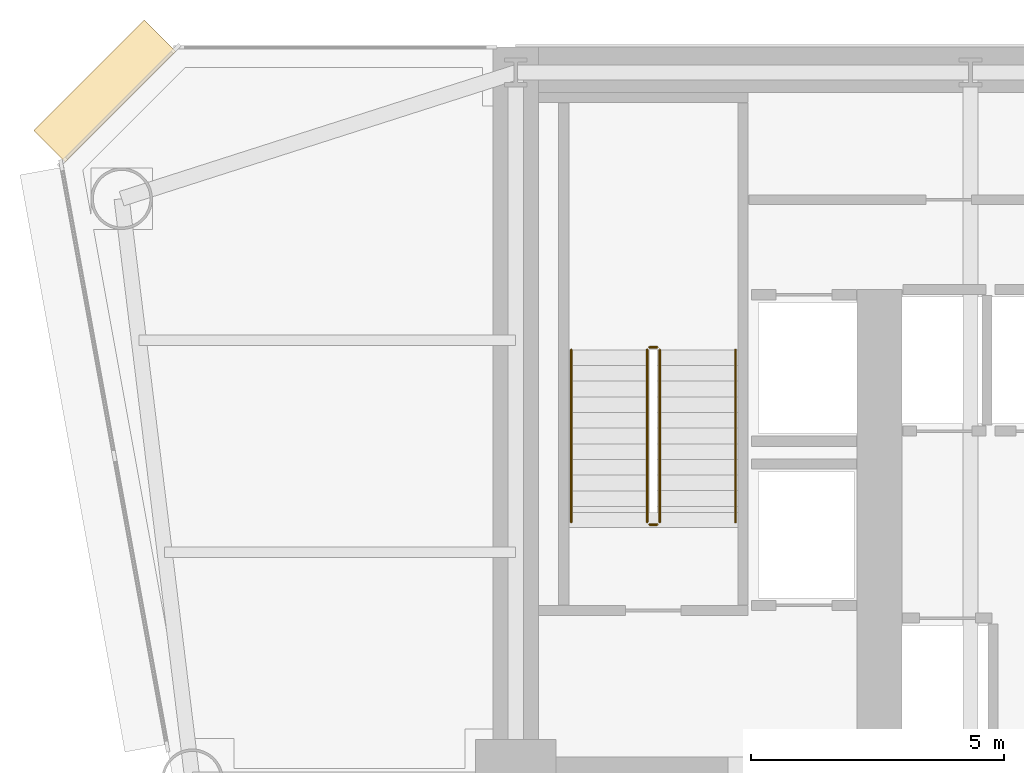
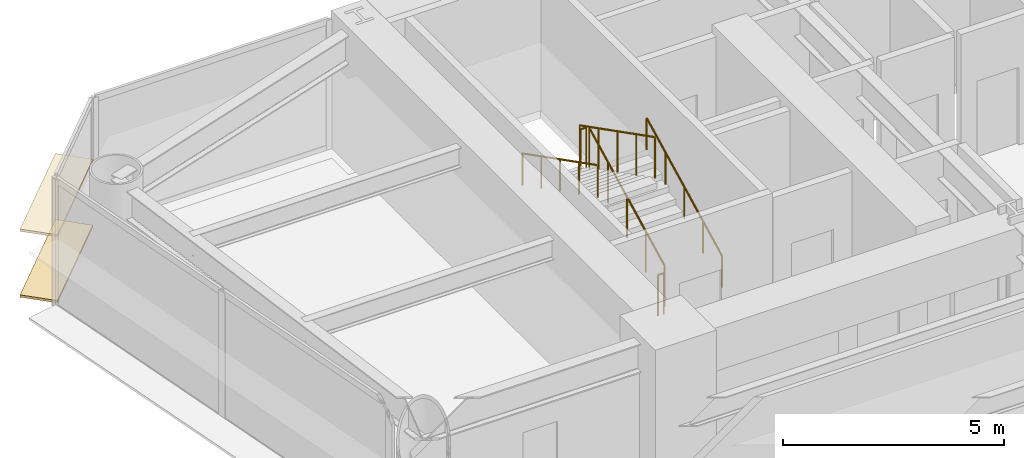
# One storey, part 12 of 14: 6 railings, 2 coverings.
"""IFC4 building model written with IfcOpenShell, lengths in metres."""

from ifc_helpers import new_model, si_unit, direction, frame, origin, origin_2d, place, context, subcontext, project, spatial, rectangle, circle, extrude, source, transform, mapped, material, layer, layer_set, type_object, element, save


model = new_model("IFC4")

# Units and contexts
model_context = context("Model", 3, precision=1e-05, world=origin(), true_north=direction((0.0, 1.0)))
body_context = subcontext(model_context, "Body", "Model", "MODEL_VIEW")
ifc_project = project(units=[si_unit("LENGTHUNIT", "METRE"), si_unit("AREAUNIT", "SQUARE_METRE"), si_unit("VOLUMEUNIT", "CUBIC_METRE"), si_unit("PLANEANGLEUNIT", "RADIAN"), si_unit("MASSUNIT", "GRAM", prefix="KILO")], contexts=[model_context])

# Site, building, storey
site_placement = place(None, origin())
site = spatial("IfcSite", under=ifc_project, at=site_placement, CompositionType="ELEMENT")
building_placement = place(site_placement, origin())
building = spatial("IfcBuilding", under=site, at=building_placement, Name="Vaeldorn Concourse Tower", CompositionType="ELEMENT")
storey_placement = place(building_placement, frame((0.0, 0.0, 41.60009765625)))
storey = spatial("IfcBuildingStorey", under=building, at=storey_placement, Name="L10", CompositionType="ELEMENT", Elevation=41.60009765625)

# Railings
ifc_material = material(Name="Anodised Bronze Aluminium", Category="aluminium")
railing_type_1 = type_object("IfcRailingType", Name="RL-STAIR-GUARD", PredefinedType="GUARDRAIL", material=ifc_material)
railing_1_placement = place(storey_placement, frame((16.85009765625, 41.60009765625, 0.158203125)))
element("IfcRailing", 1, at=railing_1_placement, inside=storey, type_object=railing_type_1, Name="L10 ST-1 stair guard 1", PredefinedType="GUARDRAIL", context=body_context, shape_type="SweptSolid", body=[
    extrude(circle(Radius=0.02392578125, at=origin_2d()), frame((0.0, 0.0, 1.1259765625), z_axis=(0.0, 0.890555807335, 0.454873997962), x_axis=(-1.0, 0.0, 0.0)), (0.0, 0.0, 1.0), 3.828857421875),
    extrude(circle(Radius=0.02099609375, at=origin_2d()), origin(), (0.0, 0.0, 1.0), 1.101806640625),
    extrude(circle(Radius=0.02099609375, at=origin_2d()), frame((0.0, 0.8525390625, 0.435546875)), (0.0, 0.0, 1.0), 1.101806640625),
    extrude(circle(Radius=0.02099609375, at=origin_2d()), frame((0.0, 1.705078125, 0.870849609375)), (0.0, 0.0, 1.0), 1.101806640625),
    extrude(circle(Radius=0.02099609375, at=origin_2d()), frame((0.0, 2.557373046875, 1.30615234375)), (0.0, 0.0, 1.0), 1.101806640625),
    extrude(circle(Radius=0.02099609375, at=origin_2d()), frame((0.0, 3.409912109375, 1.74169921875)), (0.0, 0.0, 1.0), 1.101806640625),
])
railing_2_placement = place(storey_placement, frame((16.800048828125, 45.06005859375, 1.89990234375)))
element("IfcRailing", 2, at=railing_2_placement, inside=storey, type_object=railing_type_1, Name="L10 ST-1 stair guard 2", PredefinedType="GUARDRAIL", context=body_context, shape_type="SweptSolid", body=[
    extrude(circle(Radius=0.02392578125, at=origin_2d()), frame((0.0, 0.0, 1.1259765625), z_axis=(-1.0, 0.0, 0.0), x_axis=(0.0, -1.0, 0.0)), (0.0, 0.0, 1.0), 0.150146484375),
    extrude(circle(Radius=0.02099609375, at=origin_2d()), origin(), (0.0, 0.0, 1.0), 1.101806640625),
    extrude(circle(Radius=0.02099609375, at=origin_2d()), frame((-0.150146484375, 0.0, 0.0)), (0.0, 0.0, 1.0), 1.101806640625),
])
railing_3_placement = place(storey_placement, frame((16.60009765625, 45.010009765625, 2.058349609375)))
element("IfcRailing", 3, at=railing_3_placement, inside=storey, type_object=railing_type_1, Name="L10 ST-1 stair guard 3", PredefinedType="GUARDRAIL", context=body_context, shape_type="SweptSolid", body=[
    extrude(circle(Radius=0.02392578125, at=origin_2d()), frame((0.0, 0.0, 1.1259765625), z_axis=(0.0, -0.890581635807, 0.454823427236), x_axis=(1.0, 0.0, 0.0)), (0.0, 0.0, 1.0), 3.828857421875),
    extrude(circle(Radius=0.02099609375, at=origin_2d()), origin(), (0.0, 0.0, 1.0), 1.101806640625),
    extrude(circle(Radius=0.02099609375, at=origin_2d()), frame((0.0, -0.8525390625, 0.435302734375)), (0.0, 0.0, 1.0), 1.101806640625),
    extrude(circle(Radius=0.02099609375, at=origin_2d()), frame((0.0, -1.705078125, 0.87060546875)), (0.0, 0.0, 1.0), 1.101806640625),
    extrude(circle(Radius=0.02099609375, at=origin_2d()), frame((0.0, -2.557373046875, 1.30615234375)), (0.0, 0.0, 1.0), 1.101806640625),
    extrude(circle(Radius=0.02099609375, at=origin_2d()), frame((0.0, -3.409912109375, 1.741455078125)), (0.0, 0.0, 1.0), 1.101806640625),
])
railing_4_placement = place(storey_placement, frame((16.800048828125, 41.550048828125, 0.0)))
element("IfcRailing", 4, at=railing_4_placement, inside=storey, type_object=railing_type_1, Name="L10 ST-1 stair guard 4", PredefinedType="GUARDRAIL", context=body_context, shape_type="SweptSolid", body=[
    extrude(circle(Radius=0.02392578125, at=origin_2d()), frame((0.0, 0.0, 1.1259765625), z_axis=(-1.0, 0.0, 0.0), x_axis=(0.0, -1.0, 0.0)), (0.0, 0.0, 1.0), 0.150146484375),
    extrude(circle(Radius=0.02099609375, at=origin_2d()), origin(), (0.0, 0.0, 1.0), 1.101806640625),
    extrude(circle(Radius=0.02099609375, at=origin_2d()), frame((-0.150146484375, 0.0, 0.0)), (0.0, 0.0, 1.0), 1.101806640625),
])
railing_type_2 = type_object("IfcRailingType", Name="RL-STAIR-HANDRAIL", PredefinedType="HANDRAIL", material=ifc_material)
railing_5_placement = place(storey_placement, frame((18.35009765625, 41.60009765625, 0.158203125)))
element("IfcRailing", 5, at=railing_5_placement, inside=storey, type_object=railing_type_2, Name="L10 ST-1 stair handrail 1", PredefinedType="HANDRAIL", context=body_context, shape_type="SweptSolid", body=[
    extrude(circle(Radius=0.02392578125, at=origin_2d()), frame((0.0, 0.0, 0.8759765625), z_axis=(0.0, 0.890555807335, 0.454873997962), x_axis=(-1.0, 0.0, 0.0)), (0.0, 0.0, 1.0), 3.828857421875),
    extrude(circle(Radius=0.02099609375, at=origin_2d()), origin(), (0.0, 0.0, 1.0), 0.851806640625),
    extrude(circle(Radius=0.02099609375, at=origin_2d()), frame((0.0, 0.8525390625, 0.435546875)), (0.0, 0.0, 1.0), 0.851806640625),
    extrude(circle(Radius=0.02099609375, at=origin_2d()), frame((0.0, 1.705078125, 0.870849609375)), (0.0, 0.0, 1.0), 0.851806640625),
    extrude(circle(Radius=0.02099609375, at=origin_2d()), frame((0.0, 2.557373046875, 1.30615234375)), (0.0, 0.0, 1.0), 0.851806640625),
    extrude(circle(Radius=0.02099609375, at=origin_2d()), frame((0.0, 3.409912109375, 1.74169921875)), (0.0, 0.0, 1.0), 0.851806640625),
])
railing_6_placement = place(storey_placement, frame((15.10009765625, 45.010009765625, 2.058349609375)))
element("IfcRailing", 6, at=railing_6_placement, inside=storey, type_object=railing_type_2, Name="L10 ST-1 stair handrail 2", PredefinedType="HANDRAIL", context=body_context, shape_type="SweptSolid", body=[
    extrude(circle(Radius=0.02392578125, at=origin_2d()), frame((0.0, 0.0, 0.8759765625), z_axis=(0.0, -0.890581635807, 0.454823427236), x_axis=(1.0, 0.0, 0.0)), (0.0, 0.0, 1.0), 3.828857421875),
    extrude(circle(Radius=0.02099609375, at=origin_2d()), origin(), (0.0, 0.0, 1.0), 0.851806640625),
    extrude(circle(Radius=0.02099609375, at=origin_2d()), frame((0.0, -0.8525390625, 0.435302734375)), (0.0, 0.0, 1.0), 0.851806640625),
    extrude(circle(Radius=0.02099609375, at=origin_2d()), frame((0.0, -1.705078125, 0.87060546875)), (0.0, 0.0, 1.0), 0.851806640625),
    extrude(circle(Radius=0.02099609375, at=origin_2d()), frame((0.0, -2.557373046875, 1.30615234375)), (0.0, 0.0, 1.0), 0.851806640625),
    extrude(circle(Radius=0.02099609375, at=origin_2d()), frame((0.0, -3.409912109375, 1.741455078125)), (0.0, 0.0, 1.0), 0.851806640625),
])

# Coverings
ifc_layer = layer(ifc_material, 0.06494140625)
ifc_layer_set = layer_set([ifc_layer], Name="Anodised Bronze Aluminium")
covering_type = type_object("IfcCoveringType", Name="SD-BRONZE-SUNSHADE", PredefinedType="USERDEFINED", material=ifc_layer_set)
shared_shape = source(origin(), body_context, "Body", "SweptSolid", [
    extrude(rectangle(XDim=3.0927734375, YDim=0.8798828125, at=origin_2d()), origin(), (0.0, 0.0, 1.0), 0.06494140625),
])
for number, where, z_axis, x_axis, name in (
    (7, (5.8671875, 50.1328125, 0.04736328125), (0.0, 0.0, 1.0), (-0.707106781187, -0.707106781187, 0.0), "Horizontal Bronze Sunshade L10-E10.1.1"),
    (8, (5.8671875, 50.1328125, 1.867431640625), (0.0, 0.0, 1.0), (-0.707106781187, -0.707106781187, 0.0), "Horizontal Bronze Sunshade L10-E10.1.2"),
):
    element("IfcCovering", number, at=place(storey_placement, frame(where, z_axis=z_axis, x_axis=x_axis)), inside=storey, type_object=covering_type, Name=name, ObjectType="SUNSHADE", PredefinedType="USERDEFINED", context=body_context, shape_type="MappedRepresentation", body=[
        mapped(shared_shape, transform((0.0, 0.0, 0.0), scale=1.0)),
    ])

save(model, "model.ifc")
